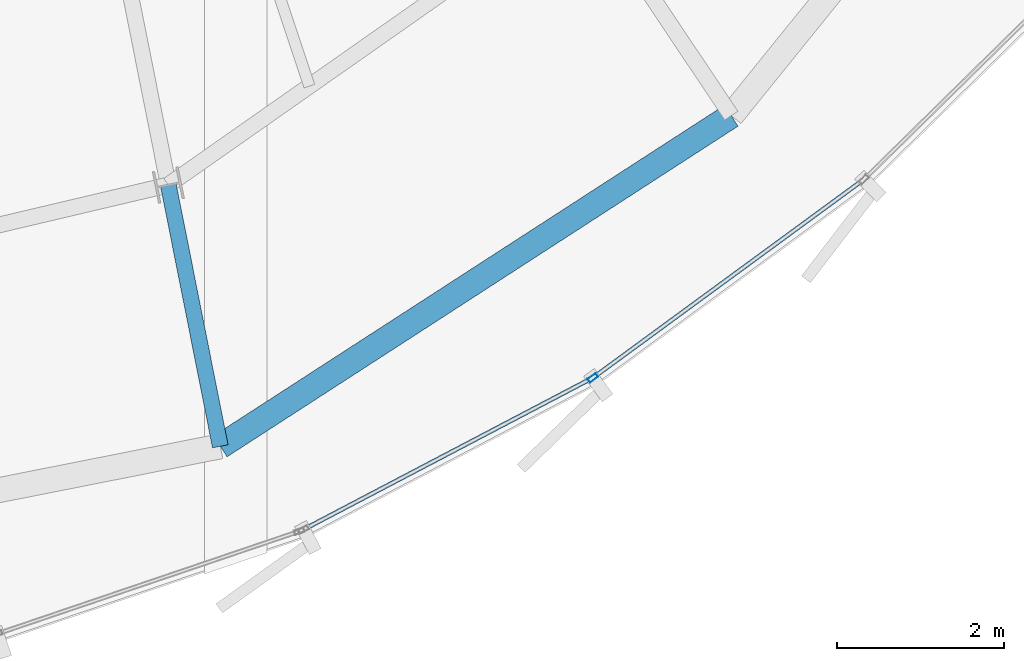
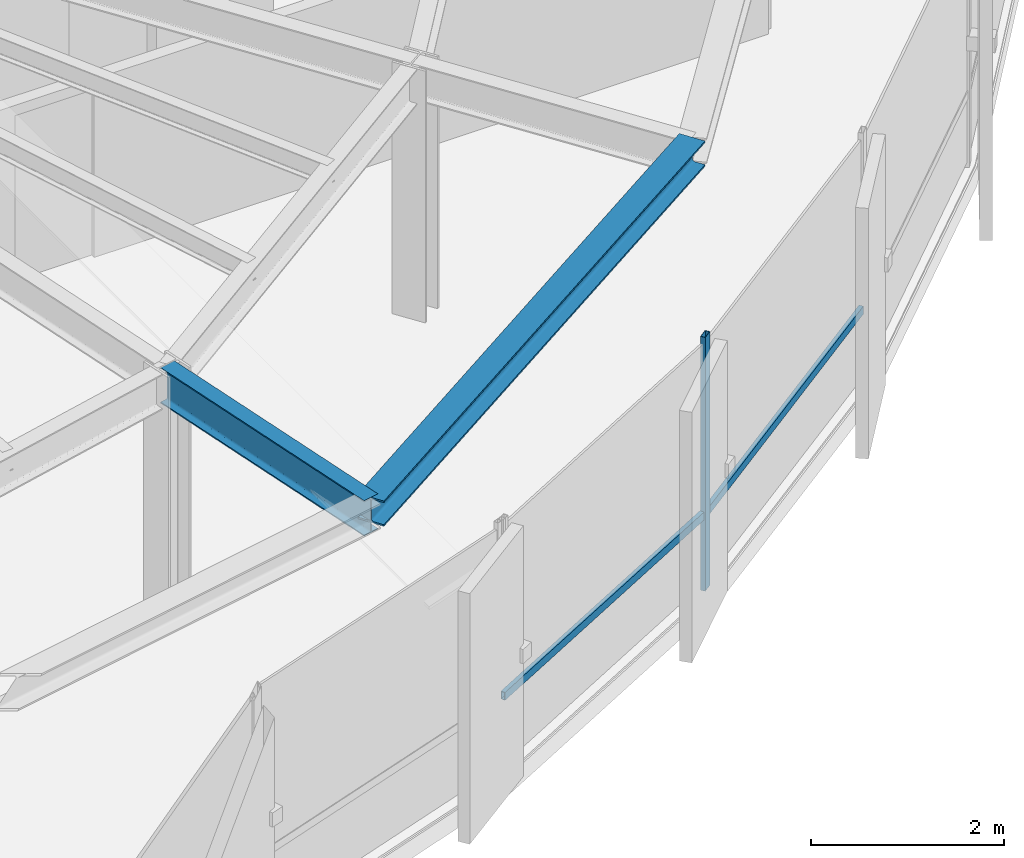
# One storey, part 7 of 34: 3 members, 2 beams, 1 element without a shape of its own.
"""IFC4 building model written with IfcOpenShell, lengths in metres."""

from ifc_helpers import new_model, si_unit, direction, frame, origin, origin_2d, place, context, subcontext, project, spatial, hollow_rectangle, i_section, extrude, source, transform, mapped, material, layer, layer_set, material_profile, profile_set, type_object, element, aggregate, save


model = new_model("IFC4")

# Units and contexts
model_context = context("Model", 3, precision=1e-05, world=origin(), true_north=direction((0.0, 1.0)))
body_context = subcontext(model_context, "Body", "Model", "MODEL_VIEW")
ifc_project = project(units=[si_unit("LENGTHUNIT", "METRE"), si_unit("AREAUNIT", "SQUARE_METRE"), si_unit("VOLUMEUNIT", "CUBIC_METRE"), si_unit("PLANEANGLEUNIT", "RADIAN"), si_unit("MASSUNIT", "GRAM", prefix="KILO"), si_unit("THERMODYNAMICTEMPERATUREUNIT", "KELVIN")], contexts=[model_context])

# Site, building, storey
site_placement = place(None, origin())
site = spatial("IfcSite", under=ifc_project, at=site_placement, CompositionType="ELEMENT")
building_placement = place(site_placement, origin())
building = spatial("IfcBuilding", under=site, at=building_placement, Name="Kethvar Cultural Tower", CompositionType="ELEMENT")
storey_placement = place(building_placement, frame((0.0, 0.0, 231.85009765625)))
storey = spatial("IfcBuildingStorey", under=building, at=storey_placement, Name="L60", CompositionType="ELEMENT", Elevation=231.85009765625)

# Beams
ifc_material_1 = material(Name="Steel S355J2", Category="steel")
ifc_material_profile_1 = material_profile(ifc_material_1, i_section(OverallWidth=0.18994140625, OverallDepth=0.449951171875, WebThickness=0.009521484375, FlangeThickness=0.0146484375, FilletRadius=0.02099609375, at=origin_2d()), Name="Steel S355J2 — IPE450")
ifc_profile_set_1 = profile_set([ifc_material_profile_1], Name="Steel S355J2 — IPE450")
beam_type_1 = type_object("IfcBeamType", Name="BM-IPE450", PredefinedType="BEAM", material=ifc_profile_set_1)
shared_shape_1 = source(origin(), body_context, "Body", "SweptSolid", [
    extrude(i_section(OverallWidth=0.18994140625, OverallDepth=0.449951171875, WebThickness=0.009521484375, FlangeThickness=0.0146484375, FilletRadius=0.02099609375, at=origin_2d()), origin(), (0.0, 0.0, 1.0), 3.199951171875),
])
beam_1_placement = place(storey_placement, frame((49.901611328125, 12.206787109375, 2.98291015625), z_axis=(0.195088965533, -0.980785550224, 0.0), x_axis=(0.980785550224, 0.195088965533, 0.0)))
element("IfcBeam", 1, at=beam_1_placement, inside=storey, type_object=beam_type_1, Name="L60 Perimeter Cantilever Beam RC-13", PredefinedType="BEAM", context=body_context, shape_type="MappedRepresentation", body=[
    mapped(shared_shape_1, transform((0.0, 0.0, 0.0), scale=1.0)),
])
ifc_material_profile_2 = material_profile(ifc_material_1, i_section(OverallWidth=0.300048828125, OverallDepth=0.320068359375, WebThickness=0.011474609375, FlangeThickness=0.0205078125, FilletRadius=0.027099609375, at=origin_2d()), Name="Steel S355J2 — HEB320")
ifc_profile_set_2 = profile_set([ifc_material_profile_2], Name="Steel S355J2 — HEB320")
beam_type_2 = type_object("IfcBeamType", Name="BM-SP320", PredefinedType="SPANDREL", material=ifc_profile_set_2)
shared_shape_2 = source(origin(), body_context, "Body", "SweptSolid", [
    extrude(i_section(OverallWidth=0.300048828125, OverallDepth=0.320068359375, WebThickness=0.011474609375, FlangeThickness=0.0205078125, FilletRadius=0.027099609375, at=origin_2d()), origin(), (0.0, 0.0, 1.0), 7.309326171875),
])
beam_2_placement = place(storey_placement, frame((50.52587890625, 9.068359375, 3.0478515625), z_axis=(0.839562091992, 0.543263742292, 0.0), x_axis=(-0.543263742292, 0.839562091992, 0.0)))
element("IfcBeam", 2, at=beam_2_placement, inside=storey, type_object=beam_type_2, Name="L60 Perimeter Spandrel Beam SP-13", PredefinedType="SPANDREL", context=body_context, shape_type="MappedRepresentation", body=[
    mapped(shared_shape_2, transform((0.0, 0.0, 0.0), scale=1.0)),
])

# Curtain wall, members
ifc_material_2 = material(Name="Aluminium 6063-T6", Category="aluminium")
ifc_layer = layer(ifc_material_2, 0.179931640625, Name="Aluminium 6063-T6", Category="aluminium")
ifc_layer_set = layer_set([ifc_layer], Name="Aluminium 6063-T6 (180 mm)")
curtain_wall_type = type_object("IfcCurtainWallType", Name="CW-SYS-05-Z56", PredefinedType="NOTDEFINED", material=ifc_layer_set)
curtain_wall_placement = place(storey_placement, origin())
curtain_wall = element("IfcCurtainWall", 3, at=curtain_wall_placement, inside=storey, type_object=curtain_wall_type, Name="L60 Curtain Wall Run 05", PredefinedType="NOTDEFINED")
ifc_material_profile_3 = material_profile(ifc_material_2, hollow_rectangle(XDim=0.054931640625, YDim=0.1201171875, WallThickness=0.00390625, at=origin_2d()), Name="Aluminium 6063-T6 — RHS120x55x4")
ifc_profile_set_3 = profile_set([ifc_material_profile_3], Name="Aluminium 6063-T6 — RHS120x55x4")
member_type_1 = type_object("IfcMemberType", Name="CW-SYS-05-Z56-MUL", PredefinedType="MULLION", material=ifc_profile_set_3)
shared_shape_3 = source(origin(), body_context, "Body", "SweptSolid", [
    extrude(hollow_rectangle(XDim=0.054931640625, YDim=0.1201171875, WallThickness=0.00390625, at=origin_2d()), origin(), (0.0, 0.0, 1.0), 3.2099609375),
])
member_1_placement = place(storey_placement, frame((55.0, 9.890380859375, 0.0), z_axis=(0.0, 0.0, 1.0), x_axis=(-0.590774664038, 0.806836598284, 0.0)))
member_1 = element("IfcMember", 4, at=member_1_placement, type_object=member_type_1, Name="CW-L60-R05 Mullion 2", PredefinedType="MULLION", context=body_context, shape_type="MappedRepresentation", body=[
    mapped(shared_shape_3, transform((0.0, 0.0, 0.0), scale=1.0)),
])
ifc_material_profile_4 = material_profile(ifc_material_2, hollow_rectangle(XDim=0.050048828125, YDim=0.10009765625, WallThickness=0.00390625, at=origin_2d()), Name="Aluminium 6063-T6 — RHS100x50x4")
ifc_profile_set_4 = profile_set([ifc_material_profile_4], Name="Aluminium 6063-T6 — RHS100x50x4")
member_type_2 = type_object("IfcMemberType", Name="CW-SYS-05-Z56-TRN", PredefinedType="USERDEFINED", material=ifc_profile_set_4)
shared_shape_4 = source(origin(), body_context, "Body", "SweptSolid", [
    extrude(hollow_rectangle(XDim=0.050048828125, YDim=0.10009765625, WallThickness=0.00390625, at=origin_2d()), origin(), (0.0, 0.0, 1.0), 3.89306640625),
])
member_2_placement = place(storey_placement, frame((51.530029296875, 8.071533203125, 0.949951171875), z_axis=(0.885566256483, 0.464513084185, 0.0), x_axis=(-0.464513084185, 0.885566256483, 0.0)))
member_2 = element("IfcMember", 5, at=member_2_placement, type_object=member_type_2, Name="CW-L60-R05 Transom 1", ObjectType="TRANSOM", PredefinedType="USERDEFINED", context=body_context, shape_type="MappedRepresentation", body=[
    mapped(shared_shape_4, transform((0.0, 0.0, 0.0), scale=1.0)),
])
shared_shape_5 = source(origin(), body_context, "Body", "SweptSolid", [
    extrude(hollow_rectangle(XDim=0.050048828125, YDim=0.10009765625, WallThickness=0.00390625, at=origin_2d()), origin(), (0.0, 0.0, 1.0), 3.9697265625),
])
member_3_placement = place(storey_placement, frame((55.031982421875, 9.913818359375, 0.949951171875), z_axis=(0.806832981449, 0.590779603613, 0.0), x_axis=(-0.590779603613, 0.806832981449, 0.0)))
member_3 = element("IfcMember", 6, at=member_3_placement, type_object=member_type_2, Name="CW-L60-R05 Transom 2", ObjectType="TRANSOM", PredefinedType="USERDEFINED", context=body_context, shape_type="MappedRepresentation", body=[
    mapped(shared_shape_5, transform((0.0, 0.0, 0.0), scale=1.0)),
])
aggregate(curtain_wall, [member_1, member_2, member_3])

save(model, "model.ifc")
